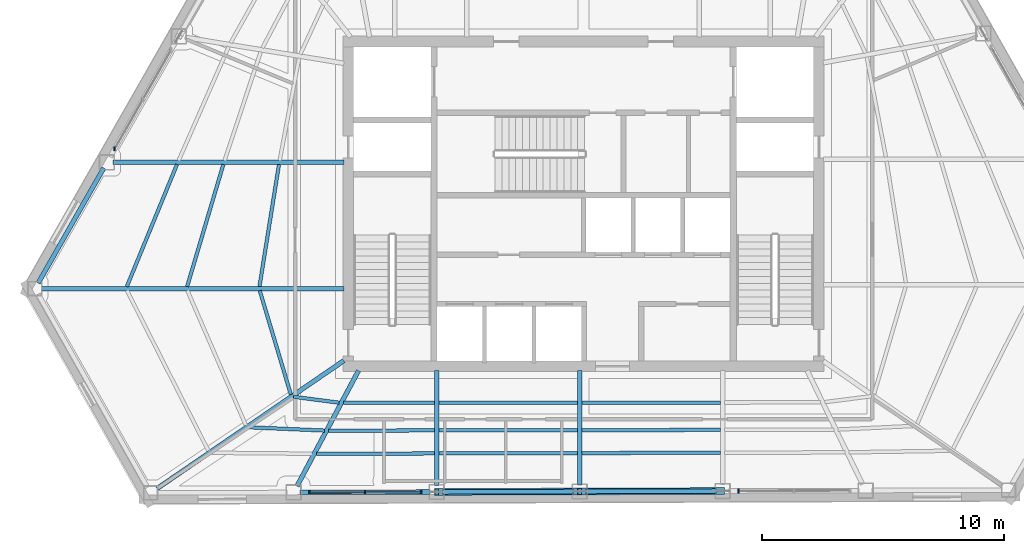
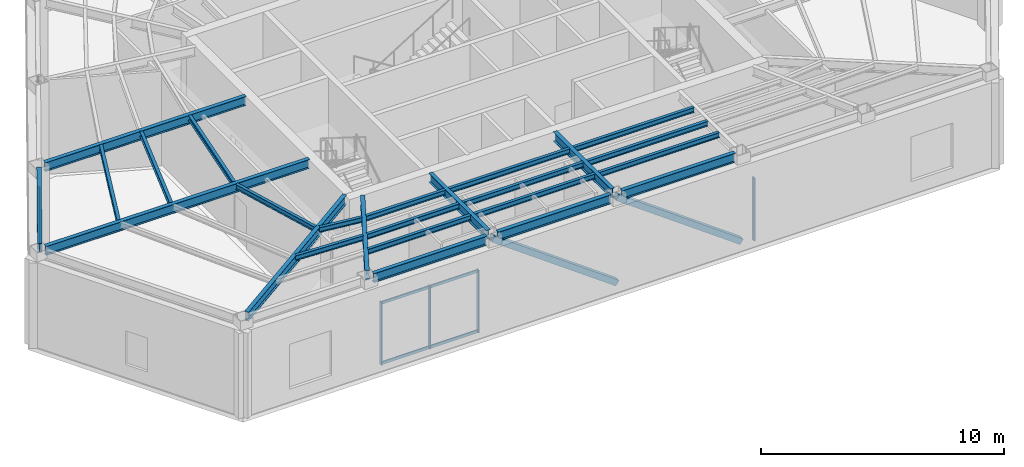
# One storey, part 2 of 14: 25 beams, 9 members, 3 elements without a shape of their own.
"""IFC4 building model written with IfcOpenShell, lengths in metres."""

from ifc_helpers import new_model, si_unit, direction, frame, origin, origin_2d, place, context, subcontext, project, spatial, rectangle, hollow_rectangle, i_section, extrude, material, layer, layer_set, material_profile, profile_set, type_object, element, aggregate, save


model = new_model("IFC4")

# Units and contexts
model_context = context("Model", 3, precision=1e-05, world=origin(), true_north=direction((0.0, 1.0)))
body_context = subcontext(model_context, "Body", "Model", "MODEL_VIEW")
ifc_project = project(units=[si_unit("LENGTHUNIT", "METRE"), si_unit("AREAUNIT", "SQUARE_METRE"), si_unit("VOLUMEUNIT", "CUBIC_METRE"), si_unit("PLANEANGLEUNIT", "RADIAN"), si_unit("MASSUNIT", "GRAM", prefix="KILO")], contexts=[model_context])

# Site, building, storey
site_placement = place(None, origin())
site = spatial("IfcSite", under=ifc_project, at=site_placement, CompositionType="ELEMENT")
building_placement = place(site_placement, origin())
building = spatial("IfcBuilding", under=site, at=building_placement, Name="Kavelnor Concourse Tower", CompositionType="ELEMENT")
storey_placement = place(building_placement, frame((0.0, 0.0, 160.0)))
storey = spatial("IfcBuildingStorey", under=building, at=storey_placement, Name="L40", CompositionType="ELEMENT", Elevation=160.0)

# Beams
ifc_material_1 = material(Name="Steel Grade 350", Category="steel")
ifc_material_profile_1 = material_profile(ifc_material_1, i_section(OverallWidth=0.14599609375, OverallDepth=0.256103515625, WebThickness=0.00634765625, FlangeThickness=0.010986328125, at=origin_2d()), Name="250UB37")
ifc_profile_set_1 = profile_set([ifc_material_profile_1], Name="Steel Grade 350")
beam_type_1 = type_object("IfcBeamType", Name="BM-JOIST-250", PredefinedType="JOIST", material=ifc_profile_set_1)
beam_1_placement = place(storey_placement, frame((24.598876953125, 12.505615234375, 4.6220703125), z_axis=(0.28669351116, -0.958022353945, 0.0), x_axis=(0.958022353945, 0.28669351116, 0.0)))
element("IfcBeam", 1, at=beam_1_placement, inside=storey, type_object=beam_type_1, Name="L40 Secondary Composite Joist 01-1", PredefinedType="JOIST", context=body_context, shape_type="SweptSolid", body=[
    extrude(i_section(OverallWidth=0.14599609375, OverallDepth=0.256103515625, WebThickness=0.00634765625, FlangeThickness=0.010986328125, at=origin_2d()), origin(), (0.0, 0.0, 1.0), 4.484375),
])
beam_2_placement = place(storey_placement, frame((25.998291015625, 8.11279296875, 4.6220703125), z_axis=(0.991757880961, -0.128126131417, 0.0), x_axis=(0.128126131417, 0.991757880961, 0.0)))
element("IfcBeam", 2, at=beam_2_placement, inside=storey, type_object=beam_type_1, Name="L40 Secondary Composite Joist 02-1", PredefinedType="JOIST", context=body_context, shape_type="SweptSolid", body=[
    extrude(i_section(OverallWidth=0.14599609375, OverallDepth=0.256103515625, WebThickness=0.00634765625, FlangeThickness=0.010986328125, at=origin_2d()), origin(), (0.0, 0.0, 1.0), 1.901611328125),
])
beam_3_placement = place(storey_placement, frame((24.145263671875, 6.85107421875, 4.6220703125), z_axis=(0.999056158355, -0.043437224276, 0.0), x_axis=(0.043437224276, 0.999056158355, 0.0)))
element("IfcBeam", 3, at=beam_3_placement, inside=storey, type_object=beam_type_1, Name="L40 Secondary Composite Joist 02-2", PredefinedType="JOIST", context=body_context, shape_type="SweptSolid", body=[
    extrude(i_section(OverallWidth=0.14599609375, OverallDepth=0.256103515625, WebThickness=0.00634765625, FlangeThickness=0.010986328125, at=origin_2d()), origin(), (0.0, 0.0, 1.0), 3.130615234375),
])
beam_4_placement = place(storey_placement, frame((28.0615234375, 7.85791015625, 4.6220703125), z_axis=(0.999998109433, 0.001944512787, 0.0), x_axis=(-0.001944512787, 0.999998109433, 0.0)))
element("IfcBeam", 4, at=beam_4_placement, inside=storey, type_object=beam_type_1, Name="L40 Secondary Composite Joist 03-1", PredefinedType="JOIST", context=body_context, shape_type="SweptSolid", body=[
    extrude(i_section(OverallWidth=0.14599609375, OverallDepth=0.256103515625, WebThickness=0.00634765625, FlangeThickness=0.010986328125, at=origin_2d()), origin(), (0.0, 0.0, 1.0), 3.7666015625),
])
beam_5_placement = place(storey_placement, frame((27.45068359375, 6.71142578125, 4.6220703125), z_axis=(0.999997511556, 0.002230892385, 0.0), x_axis=(-0.002230892385, 0.999997511556, 0.0)))
element("IfcBeam", 5, at=beam_5_placement, inside=storey, type_object=beam_type_1, Name="L40 Secondary Composite Joist 03-2", PredefinedType="JOIST", context=body_context, shape_type="SweptSolid", body=[
    extrude(i_section(OverallWidth=0.14599609375, OverallDepth=0.256103515625, WebThickness=0.00634765625, FlangeThickness=0.010986328125, at=origin_2d()), origin(), (0.0, 0.0, 1.0), 4.37744140625),
])
beam_6_placement = place(storey_placement, frame((26.94189453125, 5.756103515625, 4.6220703125), z_axis=(0.999997002961, 0.002448278862, 0.0), x_axis=(-0.002448278862, 0.999997002961, 0.0)))
element("IfcBeam", 6, at=beam_6_placement, inside=storey, type_object=beam_type_1, Name="L40 Secondary Composite Joist 03-3", PredefinedType="JOIST", context=body_context, shape_type="SweptSolid", body=[
    extrude(i_section(OverallWidth=0.14599609375, OverallDepth=0.256103515625, WebThickness=0.00634765625, FlangeThickness=0.010986328125, at=origin_2d()), origin(), (0.0, 0.0, 1.0), 4.88623046875),
])
for number, where, z_axis, x_axis, name in (
    (7, (32.006103515625, 7.865478515625, 4.6220703125), (0.999999562203, 0.000935731801, 0.0), (-0.000935731801, 0.999999562203, 0.0), "L40 Secondary Composite Joist 04-1"),
    (8, (32.006103515625, 6.7216796875, 4.6220703125), (0.999998479472, 0.001743861922, 0.0), (-0.001743861922, 0.999998479472, 0.0), "L40 Secondary Composite Joist 04-2"),
    (9, (32.006103515625, 5.768310546875, 4.6220703125), (0.999996957141, 0.002466922866, 0.0), (-0.002466922866, 0.999996957141, 0.0), "L40 Secondary Composite Joist 04-3"),
    (10, (37.924072265625, 7.87109375, 4.6220703125), (0.999999562203, 0.000935731801, 0.0), (-0.000935731801, 0.999999562203, 0.0), "L40 Secondary Composite Joist 05-1"),
    (11, (37.924072265625, 6.73193359375, 4.6220703125), (0.999998404395, 0.001786395006, 0.0), (-0.001786395006, 0.999998404395, 0.0), "L40 Secondary Composite Joist 05-2"),
    (12, (37.924072265625, 5.78271484375, 4.6220703125), (0.999997061162, 0.002424389966, 0.0), (-0.002424389966, 0.999997061162, 0.0), "L40 Secondary Composite Joist 05-3"),
):
    element("IfcBeam", number, at=place(storey_placement, frame(where, z_axis=z_axis, x_axis=x_axis)), inside=storey, type_object=beam_type_1, Name=name, PredefinedType="JOIST", context=body_context, shape_type="SweptSolid", body=[
        extrude(i_section(OverallWidth=0.14599609375, OverallDepth=0.256103515625, WebThickness=0.00634765625, FlangeThickness=0.010986328125, at=origin_2d()), origin(), (0.0, 0.0, 1.0), 5.739990234375),
    ])
beam_7_placement = place(storey_placement, frame((25.392822265625, 17.723876953125, 4.6220703125), z_axis=(-0.157645702375, -0.987495737977, 0.0), x_axis=(0.987495737977, -0.157645702375, 0.0)))
element("IfcBeam", 13, at=beam_7_placement, inside=storey, type_object=beam_type_1, Name="L40 Secondary Composite Joist 21-1", PredefinedType="JOIST", context=body_context, shape_type="SweptSolid", body=[
    extrude(i_section(OverallWidth=0.14599609375, OverallDepth=0.256103515625, WebThickness=0.00634765625, FlangeThickness=0.010986328125, at=origin_2d()), origin(), (0.0, 0.0, 1.0), 5.109130859375),
])
beam_8_placement = place(storey_placement, frame((23.090576171875, 17.7265625, 4.6220703125), z_axis=(-0.284336066757, -0.958724674316, 0.0), x_axis=(0.958724674316, -0.284336066757, 0.0)))
element("IfcBeam", 14, at=beam_8_placement, inside=storey, type_object=beam_type_1, Name="L40 Secondary Composite Joist 21-2", PredefinedType="JOIST", context=body_context, shape_type="SweptSolid", body=[
    extrude(i_section(OverallWidth=0.14599609375, OverallDepth=0.256103515625, WebThickness=0.00634765625, FlangeThickness=0.010986328125, at=origin_2d()), origin(), (0.0, 0.0, 1.0), 5.267822265625),
])
beam_9_placement = place(storey_placement, frame((21.172607421875, 17.7294921875, 4.6220703125), z_axis=(-0.379830814148, -0.925055972698, 0.0), x_axis=(0.925055972698, -0.379830814148, 0.0)))
element("IfcBeam", 15, at=beam_9_placement, inside=storey, type_object=beam_type_1, Name="L40 Secondary Composite Joist 21-3", PredefinedType="JOIST", context=body_context, shape_type="SweptSolid", body=[
    extrude(i_section(OverallWidth=0.14599609375, OverallDepth=0.256103515625, WebThickness=0.00634765625, FlangeThickness=0.010986328125, at=origin_2d()), origin(), (0.0, 0.0, 1.0), 5.466064453125),
])
ifc_material_profile_2 = material_profile(ifc_material_1, i_section(OverallWidth=0.18994140625, OverallDepth=0.4541015625, WebThickness=0.008544921875, FlangeThickness=0.0126953125, at=origin_2d()), Name="460UB67")
ifc_profile_set_2 = profile_set([ifc_material_profile_2], Name="Steel Grade 350")
beam_type_2 = type_object("IfcBeamType", Name="BM-PRIMARY-460", PredefinedType="BEAM", material=ifc_profile_set_2)
beam_10_placement = place(storey_placement, frame((28.080078125, 17.811767578125, 4.52294921875), z_axis=(-1.0, 0.0, 0.0), x_axis=(0.0, -1.0, 0.0)))
element("IfcBeam", 16, at=beam_10_placement, inside=storey, type_object=beam_type_2, Name="L40 Primary Floor Girder F0-B5", PredefinedType="BEAM", context=body_context, shape_type="SweptSolid", body=[
    extrude(i_section(OverallWidth=0.18994140625, OverallDepth=0.4541015625, WebThickness=0.008544921875, FlangeThickness=0.0126953125, at=origin_2d()), origin(), (0.0, 0.0, 1.0), 9.546630859375),
])
beam_11_placement = place(storey_placement, frame((28.080078125, 12.5908203125, 4.52294921875), z_axis=(-1.0, 0.0, 0.0), x_axis=(0.0, -1.0, 0.0)))
element("IfcBeam", 17, at=beam_11_placement, inside=storey, type_object=beam_type_2, Name="L40 Primary Floor Girder F0-B6", PredefinedType="BEAM", context=body_context, shape_type="SweptSolid", body=[
    extrude(i_section(OverallWidth=0.18994140625, OverallDepth=0.4541015625, WebThickness=0.008544921875, FlangeThickness=0.0126953125, at=origin_2d()), origin(), (0.0, 0.0, 1.0), 12.524169921875),
])
beam_12_placement = place(storey_placement, frame((28.072998046875, 9.60498046875, 4.52294921875), z_axis=(-0.825142189691, -0.564925098391, 0.0), x_axis=(0.564925098391, -0.825142189691, 0.0)))
element("IfcBeam", 18, at=beam_12_placement, inside=storey, type_object=beam_type_2, Name="L40 Primary Floor Girder F1-B0", PredefinedType="BEAM", context=body_context, shape_type="SweptSolid", body=[
    extrude(i_section(OverallWidth=0.18994140625, OverallDepth=0.4541015625, WebThickness=0.008544921875, FlangeThickness=0.0126953125, at=origin_2d()), origin(), (0.0, 0.0, 1.0), 9.361572265625),
])
beam_13_placement = place(storey_placement, frame((28.68505859375, 9.1953125, 4.52294921875), z_axis=(-0.470141015647, -0.882591312786, 0.0), x_axis=(0.882591312786, -0.470141015647, 0.0)))
element("IfcBeam", 19, at=beam_13_placement, inside=storey, type_object=beam_type_2, Name="L40 Primary Floor Girder F1-B1", PredefinedType="BEAM", context=body_context, shape_type="SweptSolid", body=[
    extrude(i_section(OverallWidth=0.18994140625, OverallDepth=0.4541015625, WebThickness=0.008544921875, FlangeThickness=0.0126953125, at=origin_2d()), origin(), (0.0, 0.0, 1.0), 5.41259765625),
])
beam_14_placement = place(storey_placement, frame((31.917236328125, 9.199951171875, 4.52294921875), z_axis=(0.0, -1.0, 0.0), x_axis=(1.0, 0.0, 0.0)))
element("IfcBeam", 20, at=beam_14_placement, inside=storey, type_object=beam_type_2, Name="L40 Primary Floor Girder F1-B2", PredefinedType="BEAM", context=body_context, shape_type="SweptSolid", body=[
    extrude(i_section(OverallWidth=0.18994140625, OverallDepth=0.4541015625, WebThickness=0.008544921875, FlangeThickness=0.0126953125, at=origin_2d()), origin(), (0.0, 0.0, 1.0), 4.766357421875),
])
beam_15_placement = place(storey_placement, frame((37.835205078125, 9.199951171875, 4.52294921875), z_axis=(0.0, -1.0, 0.0), x_axis=(1.0, 0.0, 0.0)))
element("IfcBeam", 21, at=beam_15_placement, inside=storey, type_object=beam_type_2, Name="L40 Primary Floor Girder F1-B3", PredefinedType="BEAM", context=body_context, shape_type="SweptSolid", body=[
    extrude(i_section(OverallWidth=0.18994140625, OverallDepth=0.4541015625, WebThickness=0.008544921875, FlangeThickness=0.0126953125, at=origin_2d()), origin(), (0.0, 0.0, 1.0), 4.746337890625),
])
ifc_material_profile_3 = material_profile(ifc_material_1, i_section(OverallWidth=0.19091796875, OverallDepth=0.4599609375, WebThickness=0.010009765625, FlangeThickness=0.01611328125, at=origin_2d()), Name="460UB82")
ifc_profile_set_3 = profile_set([ifc_material_profile_3], Name="Steel Grade 350")
beam_type_3 = type_object("IfcBeamType", Name="BM-SPANDREL-Z3", PredefinedType="SPANDREL", material=ifc_profile_set_3)
beam_16_placement = place(storey_placement, frame((18.14208984375, 17.58154296875, 4.52001953125), z_axis=(-0.495390322605, -0.868670494647, 0.0), x_axis=(0.868670494647, -0.495390322605, 0.0)))
element("IfcBeam", 22, at=beam_16_placement, inside=storey, type_object=beam_type_3, Name="L40 Perimeter Tube Spandrel Beam F0-B5", PredefinedType="SPANDREL", context=body_context, shape_type="SweptSolid", body=[
    extrude(i_section(OverallWidth=0.19091796875, OverallDepth=0.4599609375, WebThickness=0.010009765625, FlangeThickness=0.01611328125, at=origin_2d()), origin(), (0.0, 0.0, 1.0), 5.480224609375),
])
beam_17_placement = place(storey_placement, frame((26.264404296875, 4.154541015625, 4.52001953125), z_axis=(0.999994377832, 0.003353252853, 0.0), x_axis=(-0.003353252853, 0.999994377832, 0.0)))
element("IfcBeam", 23, at=beam_17_placement, inside=storey, type_object=beam_type_3, Name="L40 Perimeter Tube Spandrel Beam F1-B1", PredefinedType="SPANDREL", context=body_context, shape_type="SweptSolid", body=[
    extrude(i_section(OverallWidth=0.19091796875, OverallDepth=0.4599609375, WebThickness=0.010009765625, FlangeThickness=0.01611328125, at=origin_2d()), origin(), (0.0, 0.0, 1.0), 5.3876953125),
])
for number, where, z_axis, x_axis, name in (
    (24, (32.18212890625, 4.174560546875, 4.52001953125), (0.999994378341, 0.003353100911, 0.0), (-0.003353100911, 0.999994378341, 0.0), "L40 Perimeter Tube Spandrel Beam F1-B2"),
    (25, (38.10009765625, 4.194580078125, 4.52001953125), (0.999994378341, 0.003353100911, 0.0), (-0.003353100911, 0.999994378341, 0.0), "L40 Perimeter Tube Spandrel Beam F1-B3"),
):
    element("IfcBeam", number, at=place(storey_placement, frame(where, z_axis=z_axis, x_axis=x_axis)), inside=storey, type_object=beam_type_3, Name=name, PredefinedType="SPANDREL", context=body_context, shape_type="SweptSolid", body=[
        extrude(i_section(OverallWidth=0.19091796875, OverallDepth=0.4599609375, WebThickness=0.010009765625, FlangeThickness=0.01611328125, at=origin_2d()), origin(), (0.0, 0.0, 1.0), 5.387939453125),
    ])

# Curtain wall, member
ifc_material_2 = material(Name="Anodised aluminium 6063-T6", Category="aluminium")
ifc_layer = layer(ifc_material_2, 0.169921875, Name="Anodised aluminium 6063-T6")
ifc_layer_set = layer_set([ifc_layer], Name="Anodised aluminium 6063-T6")
curtain_wall_type = type_object("IfcCurtainWallType", Name="CW-SKYLOBBY-L40", PredefinedType="NOTDEFINED", material=ifc_layer_set)
curtain_wall_1_placement = place(storey_placement, origin())
curtain_wall_1 = element("IfcCurtainWall", 26, at=curtain_wall_1_placement, inside=storey, type_object=curtain_wall_type, Name="L40 Feature Curtain Wall F0-B4", PredefinedType="NOTDEFINED")
ifc_material_profile_4 = material_profile(ifc_material_2, rectangle(XDim=0.06005859375, YDim=0.169921875, at=origin_2d()), Name="AL-MULL 60x170")
ifc_profile_set_4 = profile_set([ifc_material_profile_4], Name="Anodised aluminium 6063-T6")
member_type_1 = type_object("IfcMemberType", Name="CW-SKYLOBBY-L40-MULL", PredefinedType="MULLION", material=ifc_profile_set_4)
member_1_placement = place(storey_placement, frame((18.595458984375, 18.37646484375, 0.0), z_axis=(0.0, 0.0, 1.0), x_axis=(1.0, 0.0, 0.0)))
member_1 = element("IfcMember", 27, at=member_1_placement, type_object=member_type_1, Name="L40 Feature Curtain Wall F0-B4 Mullion 2", PredefinedType="MULLION", context=body_context, shape_type="SweptSolid", body=[
    extrude(rectangle(XDim=0.06005859375, YDim=0.169921875, at=origin_2d()), origin(), (0.0, 0.0, 1.0), 3.14990234375),
])
aggregate(curtain_wall_1, [member_1])

# Curtain wall, members
curtain_wall_2_placement = place(storey_placement, origin())
curtain_wall_2 = element("IfcCurtainWall", 28, at=curtain_wall_2_placement, inside=storey, type_object=curtain_wall_type, Name="L40 Feature Curtain Wall F1-B1", PredefinedType="NOTDEFINED")
member_2_placement = place(storey_placement, frame((26.6494140625, 4.15576171875, 0.0), z_axis=(0.0, 0.0, 1.0), x_axis=(1.0, 0.0, 0.0)))
member_2 = element("IfcMember", 29, at=member_2_placement, type_object=member_type_1, Name="L40 Feature Curtain Wall F1-B1 Mullion 0", PredefinedType="MULLION", context=body_context, shape_type="SweptSolid", body=[
    extrude(rectangle(XDim=0.06005859375, YDim=0.169921875, at=origin_2d()), origin(), (0.0, 0.0, 1.0), 3.14990234375),
])
member_3_placement = place(storey_placement, frame((28.958251953125, 4.16357421875, 0.0), z_axis=(0.0, 0.0, 1.0), x_axis=(1.0, 0.0, 0.0)))
member_3 = element("IfcMember", 30, at=member_3_placement, type_object=member_type_1, Name="L40 Feature Curtain Wall F1-B1 Mullion 1", PredefinedType="MULLION", context=body_context, shape_type="SweptSolid", body=[
    extrude(rectangle(XDim=0.06005859375, YDim=0.169921875, at=origin_2d()), origin(), (0.0, 0.0, 1.0), 3.14990234375),
])
member_4_placement = place(storey_placement, frame((31.26708984375, 4.17138671875, 0.0), z_axis=(0.0, 0.0, 1.0), x_axis=(1.0, 0.0, 0.0)))
member_4 = element("IfcMember", 31, at=member_4_placement, type_object=member_type_1, Name="L40 Feature Curtain Wall F1-B1 Mullion 2", PredefinedType="MULLION", context=body_context, shape_type="SweptSolid", body=[
    extrude(rectangle(XDim=0.06005859375, YDim=0.169921875, at=origin_2d()), origin(), (0.0, 0.0, 1.0), 3.14990234375),
])

# Curtain wall, member
curtain_wall_3_placement = place(storey_placement, origin())
curtain_wall_3 = element("IfcCurtainWall", 32, at=curtain_wall_3_placement, inside=storey, type_object=curtain_wall_type, Name="L40 Feature Curtain Wall F1-B4", PredefinedType="NOTDEFINED")
member_5_placement = place(storey_placement, frame((44.403076171875, 4.2158203125, 0.0), z_axis=(0.0, 0.0, 1.0), x_axis=(1.0, 0.0, 0.0)))
member_5 = element("IfcMember", 33, at=member_5_placement, type_object=member_type_1, Name="L40 Feature Curtain Wall F1-B4 Mullion 0", PredefinedType="MULLION", context=body_context, shape_type="SweptSolid", body=[
    extrude(rectangle(XDim=0.06005859375, YDim=0.169921875, at=origin_2d()), origin(), (0.0, 0.0, 1.0), 3.14990234375),
])
aggregate(curtain_wall_3, [member_5])

# Member
ifc_material_profile_5 = material_profile(ifc_material_2, rectangle(XDim=0.06005859375, YDim=0.139892578125, at=origin_2d()), Name="AL-TRAN 60x140")
ifc_profile_set_5 = profile_set([ifc_material_profile_5], Name="Anodised aluminium 6063-T6")
member_type_2 = type_object("IfcMemberType", Name="CW-SKYLOBBY-L40-TRAN", PredefinedType="USERDEFINED", material=ifc_profile_set_5)
member_6_placement = place(storey_placement, frame((26.6494140625, 4.15576171875, 0.06005859375), z_axis=(0.999994275211, 0.003383717543, 0.0), x_axis=(-0.003383717543, 0.999994275211, 0.0)))
member_6 = element("IfcMember", 34, at=member_6_placement, type_object=member_type_2, Name="L40 Feature Curtain Wall F1-B1 Transom 0-BOT", ObjectType="TRANSOM", PredefinedType="USERDEFINED", context=body_context, shape_type="SweptSolid", body=[
    extrude(rectangle(XDim=0.06005859375, YDim=0.139892578125, at=origin_2d()), origin(), (0.0, 0.0, 1.0), 4.61767578125),
])

member_7_placement = place(storey_placement, frame((26.6494140625, 4.15576171875, 3.090087890625), z_axis=(0.999994275211, 0.003383717543, 0.0), x_axis=(-0.003383717543, 0.999994275211, 0.0)))
member_7 = element("IfcMember", 35, at=member_7_placement, type_object=member_type_2, Name="L40 Feature Curtain Wall F1-B1 Transom 0-TOP", ObjectType="TRANSOM", PredefinedType="USERDEFINED", context=body_context, shape_type="SweptSolid", body=[
    extrude(rectangle(XDim=0.06005859375, YDim=0.139892578125, at=origin_2d()), origin(), (0.0, 0.0, 1.0), 4.61767578125),
])

aggregate(curtain_wall_2, [member_2, member_3, member_4, member_6, member_7])

# Members
ifc_material_profile_6 = material_profile(ifc_material_1, hollow_rectangle(XDim=0.280029296875, YDim=0.280029296875, WallThickness=0.01611328125, at=origin_2d()), Name="SHS 280x280x16")
ifc_profile_set_6 = profile_set([ifc_material_profile_6], Name="Steel Grade 350")
member_type_3 = type_object("IfcMemberType", Name="MBR-TUBE-DIAG-Z3", PredefinedType="BRACE", material=ifc_profile_set_6)
for number, where, z_axis, x_axis, name in (
    (36, (37.835205078125, 4.193603515625, 0.219970703125), (-0.808988426792, -0.002736677021, 0.587818199715), (0.003382818928, -0.999994278252, 0.0), "L40 Framed-Tube Bracing Diagonal F1-B2"),
    (37, (43.7529296875, 4.21337890625, 0.219970703125), (-0.808976967751, -0.002703376145, 0.587834124056), (0.00334170336, -0.999994416494, 0.0), "L40 Framed-Tube Bracing Diagonal F1-B3"),
):
    element("IfcMember", number, at=place(storey_placement, frame(where, z_axis=z_axis, x_axis=x_axis)), inside=storey, type_object=member_type_3, Name=name, PredefinedType="BRACE", context=body_context, shape_type="SweptSolid", body=[
        extrude(hollow_rectangle(XDim=0.280029296875, YDim=0.280029296875, WallThickness=0.01611328125, at=origin_2d()), origin(), (0.0, 0.0, 1.0), 7.315185546875),
    ])

save(model, "model.ifc")
